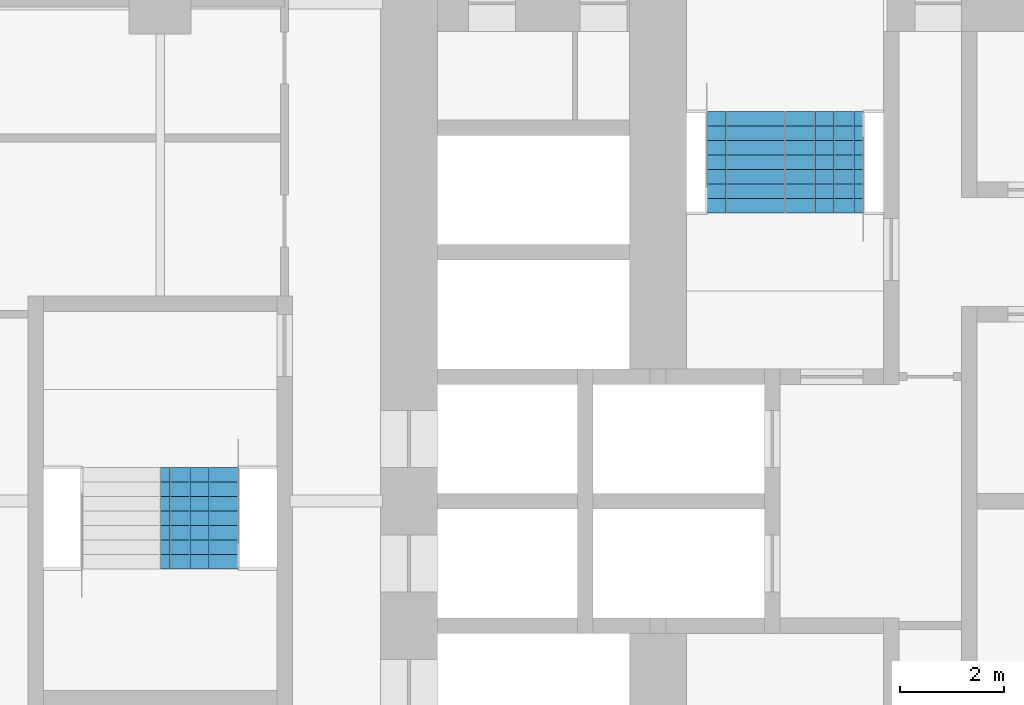
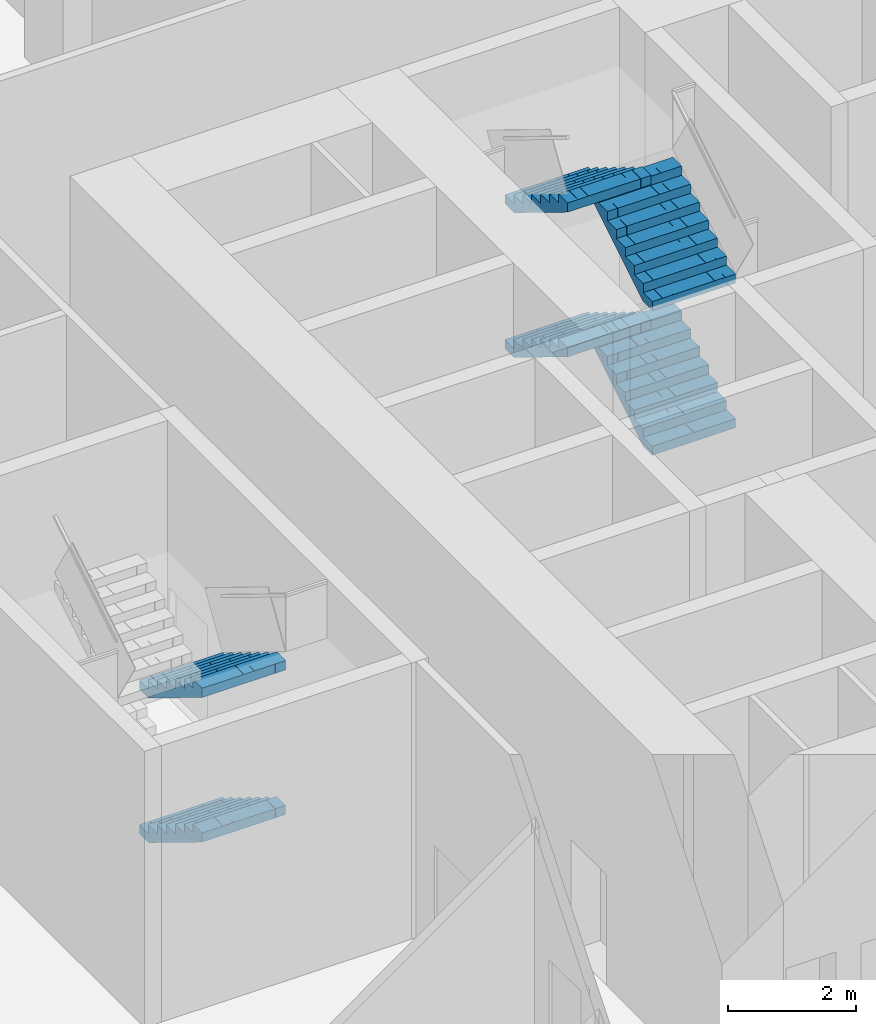
# One storey, part 24 of 29: 6 stair flights, 2 elements without a shape of their own.
"""IFC4 building model written with IfcOpenShell, lengths in metres."""

from ifc_helpers import new_model, si_unit, direction, frame, origin, place, context, subcontext, project, spatial, polyline, outline, extrude, material, type_object, element, aggregate, save


model = new_model("IFC4")

# Units and contexts
model_context = context("Model", 3, precision=1e-05, world=origin(), true_north=direction((0.0, 1.0)))
body_context = subcontext(model_context, "Body", "Model", "MODEL_VIEW")
ifc_project = project(units=[si_unit("LENGTHUNIT", "METRE"), si_unit("AREAUNIT", "SQUARE_METRE"), si_unit("VOLUMEUNIT", "CUBIC_METRE"), si_unit("PLANEANGLEUNIT", "RADIAN"), si_unit("MASSUNIT", "GRAM", prefix="KILO")], contexts=[model_context])

# Site, building, storey
site_placement = place(None, origin())
site = spatial("IfcSite", under=ifc_project, at=site_placement, CompositionType="ELEMENT")
building_placement = place(site_placement, origin())
building = spatial("IfcBuilding", under=site, at=building_placement, Name="Kolab Exchange Tower", CompositionType="ELEMENT")
storey_placement = place(building_placement, frame((0.0, 0.0, 33.39990234375)))
storey = spatial("IfcBuildingStorey", under=building, at=storey_placement, Name="L06", CompositionType="ELEMENT", Elevation=33.39990234375)

# Stair, stair flights
ifc_material = material(Name="Concrete C50/60", Category="concrete")
stair_type_1 = type_object("IfcStairType", Name="STAIR ST1 RISER 171.9", PredefinedType="DOUBLE_RETURN_STAIR", material=ifc_material)
stair_1_placement = place(storey_placement, origin())
stair_1 = element("IfcStair", 1, at=stair_1_placement, inside=storey, type_object=stair_type_1, Name="Stair 1", PredefinedType="DOUBLE_RETURN_STAIR")
stair_flight_type = type_object("IfcStairFlightType", Name="STAIR FLIGHT 1500 RISER 171.9", PredefinedType="STRAIGHT", material=ifc_material)
stair_flight_1_placement = place(storey_placement, frame((-6.389892578125, 5.550048828125, 0.0), z_axis=(0.0, 0.0, 1.0), x_axis=(0.0, 1.0, 0.0)))
stair_flight_1 = element("IfcStairFlight", 2, at=stair_flight_1_placement, type_object=stair_flight_type, Name="ST1 flight 1", NumberOfRisers=8, NumberOfTreads=7, PredefinedType="STRAIGHT", RiserHeight=0.171875, TreadLength=0.28, context=body_context, shape_type="SweptSolid", body=[
    extrude(outline(polyline([(0.0, 0.0), (0.0, 0.171875), (0.280029296875, 0.171875), (0.280029296875, 0.34375), (0.56005859375, 0.34375), (0.56005859375, 0.515625), (0.840087890625, 0.515625), (0.840087890625, 0.6875), (1.1201171875, 0.6875), (1.1201171875, 0.859375), (1.39990234375, 0.859375), (1.39990234375, 1.03125), (1.679931640625, 1.03125), (1.679931640625, 1.203125), (1.9599609375, 1.203125), (1.9599609375, 1.375), (1.9599609375, 1.02734375), (0.28662109375, 0.0), (0.0, 0.0)])), frame((0.0, 0.75, 0.0), z_axis=(0.0, -1.0, 0.0), x_axis=(1.0, 0.0, 0.0)), (0.0, 0.0, 1.0), 0.185791015625),
    extrude(outline(polyline([(0.0, 0.0), (0.0, 0.171875), (0.280029296875, 0.171875), (0.280029296875, 0.34375), (0.56005859375, 0.34375), (0.56005859375, 0.515625), (0.840087890625, 0.515625), (0.840087890625, 0.6875), (1.1201171875, 0.6875), (1.1201171875, 0.859375), (1.39990234375, 0.859375), (1.39990234375, 1.03125), (1.679931640625, 1.03125), (1.679931640625, 1.203125), (1.9599609375, 1.203125), (1.9599609375, 1.375), (1.9599609375, 1.02734375), (0.28662109375, 0.0), (0.0, 0.0)])), frame((0.0, 0.562255859375, 0.0), z_axis=(0.0, -1.0, 0.0), x_axis=(1.0, 0.0, 0.0)), (0.0, 0.0, 1.0), 0.185791015625),
    extrude(outline(polyline([(0.0, 0.0), (0.0, 0.171875), (0.280029296875, 0.171875), (0.280029296875, 0.34375), (0.56005859375, 0.34375), (0.56005859375, 0.515625), (0.840087890625, 0.515625), (0.840087890625, 0.6875), (1.1201171875, 0.6875), (1.1201171875, 0.859375), (1.39990234375, 0.859375), (1.39990234375, 1.03125), (1.679931640625, 1.03125), (1.679931640625, 1.203125), (1.9599609375, 1.203125), (1.9599609375, 1.375), (1.9599609375, 1.02734375), (0.28662109375, 0.0), (0.0, 0.0)])), frame((0.0, 0.37451171875, 0.0), z_axis=(0.0, -1.0, 0.0), x_axis=(1.0, 0.0, 0.0)), (0.0, 0.0, 1.0), 0.185791015625),
    extrude(outline(polyline([(0.0, 0.0), (0.0, 0.171875), (0.280029296875, 0.171875), (0.280029296875, 0.34375), (0.56005859375, 0.34375), (0.56005859375, 0.515625), (0.840087890625, 0.515625), (0.840087890625, 0.6875), (1.1201171875, 0.6875), (1.1201171875, 0.859375), (1.39990234375, 0.859375), (1.39990234375, 1.03125), (1.679931640625, 1.03125), (1.679931640625, 1.203125), (1.9599609375, 1.203125), (1.9599609375, 1.375), (1.9599609375, 1.02734375), (0.28662109375, 0.0), (0.0, 0.0)])), frame((0.0, 0.186767578125, 0.0), z_axis=(0.0, -1.0, 0.0), x_axis=(1.0, 0.0, 0.0)), (0.0, 0.0, 1.0), 0.185791015625),
    extrude(outline(polyline([(0.0, 0.0), (0.0, 0.171875), (0.280029296875, 0.171875), (0.280029296875, 0.34375), (0.56005859375, 0.34375), (0.56005859375, 0.515625), (0.840087890625, 0.515625), (0.840087890625, 0.6875), (1.1201171875, 0.6875), (1.1201171875, 0.859375), (1.39990234375, 0.859375), (1.39990234375, 1.03125), (1.679931640625, 1.03125), (1.679931640625, 1.203125), (1.9599609375, 1.203125), (1.9599609375, 1.375), (1.9599609375, 1.02734375), (0.28662109375, 0.0), (0.0, 0.0)])), frame((0.0, -0.0009765625, 0.0), z_axis=(0.0, -1.0, 0.0), x_axis=(1.0, 0.0, 0.0)), (0.0, 0.0, 1.0), 0.185791015625),
    extrude(outline(polyline([(0.0, 0.0), (0.0, 0.171875), (0.280029296875, 0.171875), (0.280029296875, 0.34375), (0.56005859375, 0.34375), (0.56005859375, 0.515625), (0.840087890625, 0.515625), (0.840087890625, 0.6875), (1.1201171875, 0.6875), (1.1201171875, 0.859375), (1.39990234375, 0.859375), (1.39990234375, 1.03125), (1.679931640625, 1.03125), (1.679931640625, 1.203125), (1.9599609375, 1.203125), (1.9599609375, 1.375), (1.9599609375, 1.02734375), (0.28662109375, 0.0), (0.0, 0.0)])), frame((0.0, -0.188720703125, 0.0), z_axis=(0.0, -1.0, 0.0), x_axis=(1.0, 0.0, 0.0)), (0.0, 0.0, 1.0), 0.185791015625),
    extrude(outline(polyline([(0.0, 0.0), (0.0, 0.171875), (0.280029296875, 0.171875), (0.280029296875, 0.34375), (0.56005859375, 0.34375), (0.56005859375, 0.515625), (0.840087890625, 0.515625), (0.840087890625, 0.6875), (1.1201171875, 0.6875), (1.1201171875, 0.859375), (1.39990234375, 0.859375), (1.39990234375, 1.03125), (1.679931640625, 1.03125), (1.679931640625, 1.203125), (1.9599609375, 1.203125), (1.9599609375, 1.375), (1.9599609375, 1.02734375), (0.28662109375, 0.0), (0.0, 0.0)])), frame((0.0, -0.37646484375, 0.0), z_axis=(0.0, -1.0, 0.0), x_axis=(1.0, 0.0, 0.0)), (0.0, 0.0, 1.0), 0.185791015625),
    extrude(outline(polyline([(0.0, 0.0), (0.0, 0.171875), (0.280029296875, 0.171875), (0.280029296875, 0.34375), (0.56005859375, 0.34375), (0.56005859375, 0.515625), (0.840087890625, 0.515625), (0.840087890625, 0.6875), (1.1201171875, 0.6875), (1.1201171875, 0.859375), (1.39990234375, 0.859375), (1.39990234375, 1.03125), (1.679931640625, 1.03125), (1.679931640625, 1.203125), (1.9599609375, 1.203125), (1.9599609375, 1.375), (1.9599609375, 1.02734375), (0.28662109375, 0.0), (0.0, 0.0)])), frame((0.0, -0.564208984375, 0.0), z_axis=(0.0, -1.0, 0.0), x_axis=(1.0, 0.0, 0.0)), (0.0, 0.0, 1.0), 0.185791015625),
])
stair_flight_2_placement = place(storey_placement, frame((-7.909912109375, 7.510009765625, 1.375), z_axis=(0.0, 0.0, 1.0), x_axis=(0.0, -1.0, 0.0)))
stair_flight_2 = element("IfcStairFlight", 3, at=stair_flight_2_placement, type_object=stair_flight_type, Name="ST1 flight 2", NumberOfRisers=8, NumberOfTreads=7, PredefinedType="STRAIGHT", RiserHeight=0.171875, TreadLength=0.28, context=body_context, shape_type="SweptSolid", body=[
    extrude(outline(polyline([(0.0, 0.0), (0.0, 0.171875), (0.280029296875, 0.171875), (0.280029296875, 0.34375), (0.56005859375, 0.34375), (0.56005859375, 0.515625), (0.840087890625, 0.515625), (0.840087890625, 0.6875), (1.1201171875, 0.6875), (1.1201171875, 0.859375), (1.39990234375, 0.859375), (1.39990234375, 1.03125), (1.679931640625, 1.03125), (1.679931640625, 1.203125), (1.9599609375, 1.203125), (1.9599609375, 1.375), (1.9599609375, 1.02734375), (0.28662109375, 0.0), (0.0, 0.0)])), frame((0.0, 0.75, 0.0), z_axis=(0.0, -1.0, 0.0), x_axis=(1.0, 0.0, 0.0)), (0.0, 0.0, 1.0), 0.185791015625),
    extrude(outline(polyline([(0.0, 0.0), (0.0, 0.171875), (0.280029296875, 0.171875), (0.280029296875, 0.34375), (0.56005859375, 0.34375), (0.56005859375, 0.515625), (0.840087890625, 0.515625), (0.840087890625, 0.6875), (1.1201171875, 0.6875), (1.1201171875, 0.859375), (1.39990234375, 0.859375), (1.39990234375, 1.03125), (1.679931640625, 1.03125), (1.679931640625, 1.203125), (1.9599609375, 1.203125), (1.9599609375, 1.375), (1.9599609375, 1.02734375), (0.28662109375, 0.0), (0.0, 0.0)])), frame((0.0, 0.562255859375, 0.0), z_axis=(0.0, -1.0, 0.0), x_axis=(1.0, 0.0, 0.0)), (0.0, 0.0, 1.0), 0.185791015625),
    extrude(outline(polyline([(0.0, 0.0), (0.0, 0.171875), (0.280029296875, 0.171875), (0.280029296875, 0.34375), (0.56005859375, 0.34375), (0.56005859375, 0.515625), (0.840087890625, 0.515625), (0.840087890625, 0.6875), (1.1201171875, 0.6875), (1.1201171875, 0.859375), (1.39990234375, 0.859375), (1.39990234375, 1.03125), (1.679931640625, 1.03125), (1.679931640625, 1.203125), (1.9599609375, 1.203125), (1.9599609375, 1.375), (1.9599609375, 1.02734375), (0.28662109375, 0.0), (0.0, 0.0)])), frame((0.0, 0.37451171875, 0.0), z_axis=(0.0, -1.0, 0.0), x_axis=(1.0, 0.0, 0.0)), (0.0, 0.0, 1.0), 0.185791015625),
    extrude(outline(polyline([(0.0, 0.0), (0.0, 0.171875), (0.280029296875, 0.171875), (0.280029296875, 0.34375), (0.56005859375, 0.34375), (0.56005859375, 0.515625), (0.840087890625, 0.515625), (0.840087890625, 0.6875), (1.1201171875, 0.6875), (1.1201171875, 0.859375), (1.39990234375, 0.859375), (1.39990234375, 1.03125), (1.679931640625, 1.03125), (1.679931640625, 1.203125), (1.9599609375, 1.203125), (1.9599609375, 1.375), (1.9599609375, 1.02734375), (0.28662109375, 0.0), (0.0, 0.0)])), frame((0.0, 0.186767578125, 0.0), z_axis=(0.0, -1.0, 0.0), x_axis=(1.0, 0.0, 0.0)), (0.0, 0.0, 1.0), 0.185791015625),
    extrude(outline(polyline([(0.0, 0.0), (0.0, 0.171875), (0.280029296875, 0.171875), (0.280029296875, 0.34375), (0.56005859375, 0.34375), (0.56005859375, 0.515625), (0.840087890625, 0.515625), (0.840087890625, 0.6875), (1.1201171875, 0.6875), (1.1201171875, 0.859375), (1.39990234375, 0.859375), (1.39990234375, 1.03125), (1.679931640625, 1.03125), (1.679931640625, 1.203125), (1.9599609375, 1.203125), (1.9599609375, 1.375), (1.9599609375, 1.02734375), (0.28662109375, 0.0), (0.0, 0.0)])), frame((0.0, -0.0009765625, 0.0), z_axis=(0.0, -1.0, 0.0), x_axis=(1.0, 0.0, 0.0)), (0.0, 0.0, 1.0), 0.185791015625),
    extrude(outline(polyline([(0.0, 0.0), (0.0, 0.171875), (0.280029296875, 0.171875), (0.280029296875, 0.34375), (0.56005859375, 0.34375), (0.56005859375, 0.515625), (0.840087890625, 0.515625), (0.840087890625, 0.6875), (1.1201171875, 0.6875), (1.1201171875, 0.859375), (1.39990234375, 0.859375), (1.39990234375, 1.03125), (1.679931640625, 1.03125), (1.679931640625, 1.203125), (1.9599609375, 1.203125), (1.9599609375, 1.375), (1.9599609375, 1.02734375), (0.28662109375, 0.0), (0.0, 0.0)])), frame((0.0, -0.188720703125, 0.0), z_axis=(0.0, -1.0, 0.0), x_axis=(1.0, 0.0, 0.0)), (0.0, 0.0, 1.0), 0.185791015625),
    extrude(outline(polyline([(0.0, 0.0), (0.0, 0.171875), (0.280029296875, 0.171875), (0.280029296875, 0.34375), (0.56005859375, 0.34375), (0.56005859375, 0.515625), (0.840087890625, 0.515625), (0.840087890625, 0.6875), (1.1201171875, 0.6875), (1.1201171875, 0.859375), (1.39990234375, 0.859375), (1.39990234375, 1.03125), (1.679931640625, 1.03125), (1.679931640625, 1.203125), (1.9599609375, 1.203125), (1.9599609375, 1.375), (1.9599609375, 1.02734375), (0.28662109375, 0.0), (0.0, 0.0)])), frame((0.0, -0.37646484375, 0.0), z_axis=(0.0, -1.0, 0.0), x_axis=(1.0, 0.0, 0.0)), (0.0, 0.0, 1.0), 0.185791015625),
    extrude(outline(polyline([(0.0, 0.0), (0.0, 0.171875), (0.280029296875, 0.171875), (0.280029296875, 0.34375), (0.56005859375, 0.34375), (0.56005859375, 0.515625), (0.840087890625, 0.515625), (0.840087890625, 0.6875), (1.1201171875, 0.6875), (1.1201171875, 0.859375), (1.39990234375, 0.859375), (1.39990234375, 1.03125), (1.679931640625, 1.03125), (1.679931640625, 1.203125), (1.9599609375, 1.203125), (1.9599609375, 1.375), (1.9599609375, 1.02734375), (0.28662109375, 0.0), (0.0, 0.0)])), frame((0.0, -0.564208984375, 0.0), z_axis=(0.0, -1.0, 0.0), x_axis=(1.0, 0.0, 0.0)), (0.0, 0.0, 1.0), 0.185791015625),
])
stair_flight_3_placement = place(storey_placement, frame((-6.389892578125, 5.550048828125, 2.75), z_axis=(0.0, 0.0, 1.0), x_axis=(0.0, 1.0, 0.0)))
stair_flight_3 = element("IfcStairFlight", 4, at=stair_flight_3_placement, type_object=stair_flight_type, Name="ST1 flight 3", NumberOfRisers=8, NumberOfTreads=7, PredefinedType="STRAIGHT", RiserHeight=0.171875, TreadLength=0.28, context=body_context, shape_type="SweptSolid", body=[
    extrude(outline(polyline([(0.0, 0.0), (0.0, 0.171875), (0.280029296875, 0.171875), (0.280029296875, 0.34375), (0.56005859375, 0.34375), (0.56005859375, 0.515625), (0.840087890625, 0.515625), (0.840087890625, 0.6875), (1.1201171875, 0.6875), (1.1201171875, 0.859375), (1.39990234375, 0.859375), (1.39990234375, 1.03125), (1.679931640625, 1.03125), (1.679931640625, 1.203125), (1.9599609375, 1.203125), (1.9599609375, 1.375), (1.9599609375, 1.02734375), (0.28662109375, 0.0), (0.0, 0.0)])), frame((0.0, 0.75, 0.0), z_axis=(0.0, -1.0, 0.0), x_axis=(1.0, 0.0, 0.0)), (0.0, 0.0, 1.0), 0.185791015625),
    extrude(outline(polyline([(0.0, 0.0), (0.0, 0.171875), (0.280029296875, 0.171875), (0.280029296875, 0.34375), (0.56005859375, 0.34375), (0.56005859375, 0.515625), (0.840087890625, 0.515625), (0.840087890625, 0.6875), (1.1201171875, 0.6875), (1.1201171875, 0.859375), (1.39990234375, 0.859375), (1.39990234375, 1.03125), (1.679931640625, 1.03125), (1.679931640625, 1.203125), (1.9599609375, 1.203125), (1.9599609375, 1.375), (1.9599609375, 1.02734375), (0.28662109375, 0.0), (0.0, 0.0)])), frame((0.0, 0.562255859375, 0.0), z_axis=(0.0, -1.0, 0.0), x_axis=(1.0, 0.0, 0.0)), (0.0, 0.0, 1.0), 0.185791015625),
    extrude(outline(polyline([(0.0, 0.0), (0.0, 0.171875), (0.280029296875, 0.171875), (0.280029296875, 0.34375), (0.56005859375, 0.34375), (0.56005859375, 0.515625), (0.840087890625, 0.515625), (0.840087890625, 0.6875), (1.1201171875, 0.6875), (1.1201171875, 0.859375), (1.39990234375, 0.859375), (1.39990234375, 1.03125), (1.679931640625, 1.03125), (1.679931640625, 1.203125), (1.9599609375, 1.203125), (1.9599609375, 1.375), (1.9599609375, 1.02734375), (0.28662109375, 0.0), (0.0, 0.0)])), frame((0.0, 0.37451171875, 0.0), z_axis=(0.0, -1.0, 0.0), x_axis=(1.0, 0.0, 0.0)), (0.0, 0.0, 1.0), 0.185791015625),
    extrude(outline(polyline([(0.0, 0.0), (0.0, 0.171875), (0.280029296875, 0.171875), (0.280029296875, 0.34375), (0.56005859375, 0.34375), (0.56005859375, 0.515625), (0.840087890625, 0.515625), (0.840087890625, 0.6875), (1.1201171875, 0.6875), (1.1201171875, 0.859375), (1.39990234375, 0.859375), (1.39990234375, 1.03125), (1.679931640625, 1.03125), (1.679931640625, 1.203125), (1.9599609375, 1.203125), (1.9599609375, 1.375), (1.9599609375, 1.02734375), (0.28662109375, 0.0), (0.0, 0.0)])), frame((0.0, 0.186767578125, 0.0), z_axis=(0.0, -1.0, 0.0), x_axis=(1.0, 0.0, 0.0)), (0.0, 0.0, 1.0), 0.185791015625),
    extrude(outline(polyline([(0.0, 0.0), (0.0, 0.171875), (0.280029296875, 0.171875), (0.280029296875, 0.34375), (0.56005859375, 0.34375), (0.56005859375, 0.515625), (0.840087890625, 0.515625), (0.840087890625, 0.6875), (1.1201171875, 0.6875), (1.1201171875, 0.859375), (1.39990234375, 0.859375), (1.39990234375, 1.03125), (1.679931640625, 1.03125), (1.679931640625, 1.203125), (1.9599609375, 1.203125), (1.9599609375, 1.375), (1.9599609375, 1.02734375), (0.28662109375, 0.0), (0.0, 0.0)])), frame((0.0, -0.0009765625, 0.0), z_axis=(0.0, -1.0, 0.0), x_axis=(1.0, 0.0, 0.0)), (0.0, 0.0, 1.0), 0.185791015625),
    extrude(outline(polyline([(0.0, 0.0), (0.0, 0.171875), (0.280029296875, 0.171875), (0.280029296875, 0.34375), (0.56005859375, 0.34375), (0.56005859375, 0.515625), (0.840087890625, 0.515625), (0.840087890625, 0.6875), (1.1201171875, 0.6875), (1.1201171875, 0.859375), (1.39990234375, 0.859375), (1.39990234375, 1.03125), (1.679931640625, 1.03125), (1.679931640625, 1.203125), (1.9599609375, 1.203125), (1.9599609375, 1.375), (1.9599609375, 1.02734375), (0.28662109375, 0.0), (0.0, 0.0)])), frame((0.0, -0.188720703125, 0.0), z_axis=(0.0, -1.0, 0.0), x_axis=(1.0, 0.0, 0.0)), (0.0, 0.0, 1.0), 0.185791015625),
    extrude(outline(polyline([(0.0, 0.0), (0.0, 0.171875), (0.280029296875, 0.171875), (0.280029296875, 0.34375), (0.56005859375, 0.34375), (0.56005859375, 0.515625), (0.840087890625, 0.515625), (0.840087890625, 0.6875), (1.1201171875, 0.6875), (1.1201171875, 0.859375), (1.39990234375, 0.859375), (1.39990234375, 1.03125), (1.679931640625, 1.03125), (1.679931640625, 1.203125), (1.9599609375, 1.203125), (1.9599609375, 1.375), (1.9599609375, 1.02734375), (0.28662109375, 0.0), (0.0, 0.0)])), frame((0.0, -0.37646484375, 0.0), z_axis=(0.0, -1.0, 0.0), x_axis=(1.0, 0.0, 0.0)), (0.0, 0.0, 1.0), 0.185791015625),
    extrude(outline(polyline([(0.0, 0.0), (0.0, 0.171875), (0.280029296875, 0.171875), (0.280029296875, 0.34375), (0.56005859375, 0.34375), (0.56005859375, 0.515625), (0.840087890625, 0.515625), (0.840087890625, 0.6875), (1.1201171875, 0.6875), (1.1201171875, 0.859375), (1.39990234375, 0.859375), (1.39990234375, 1.03125), (1.679931640625, 1.03125), (1.679931640625, 1.203125), (1.9599609375, 1.203125), (1.9599609375, 1.375), (1.9599609375, 1.02734375), (0.28662109375, 0.0), (0.0, 0.0)])), frame((0.0, -0.564208984375, 0.0), z_axis=(0.0, -1.0, 0.0), x_axis=(1.0, 0.0, 0.0)), (0.0, 0.0, 1.0), 0.185791015625),
])
stair_flight_4_placement = place(storey_placement, frame((-7.909912109375, 7.510009765625, 4.125), z_axis=(0.0, 0.0, 1.0), x_axis=(0.0, -1.0, 0.0)))
stair_flight_4 = element("IfcStairFlight", 5, at=stair_flight_4_placement, type_object=stair_flight_type, Name="ST1 flight 4", NumberOfRisers=8, NumberOfTreads=7, PredefinedType="STRAIGHT", RiserHeight=0.171875, TreadLength=0.28, context=body_context, shape_type="SweptSolid", body=[
    extrude(outline(polyline([(0.0, 0.0), (0.0, 0.171875), (0.280029296875, 0.171875), (0.280029296875, 0.34375), (0.56005859375, 0.34375), (0.56005859375, 0.515625), (0.840087890625, 0.515625), (0.840087890625, 0.6875), (1.1201171875, 0.6875), (1.1201171875, 0.859375), (1.39990234375, 0.859375), (1.39990234375, 1.03125), (1.679931640625, 1.03125), (1.679931640625, 1.203125), (1.9599609375, 1.203125), (1.9599609375, 1.375), (1.9599609375, 1.02734375), (0.28662109375, 0.0), (0.0, 0.0)])), frame((0.0, 0.75, 0.0), z_axis=(0.0, -1.0, 0.0), x_axis=(1.0, 0.0, 0.0)), (0.0, 0.0, 1.0), 0.185791015625),
    extrude(outline(polyline([(0.0, 0.0), (0.0, 0.171875), (0.280029296875, 0.171875), (0.280029296875, 0.34375), (0.56005859375, 0.34375), (0.56005859375, 0.515625), (0.840087890625, 0.515625), (0.840087890625, 0.6875), (1.1201171875, 0.6875), (1.1201171875, 0.859375), (1.39990234375, 0.859375), (1.39990234375, 1.03125), (1.679931640625, 1.03125), (1.679931640625, 1.203125), (1.9599609375, 1.203125), (1.9599609375, 1.375), (1.9599609375, 1.02734375), (0.28662109375, 0.0), (0.0, 0.0)])), frame((0.0, 0.562255859375, 0.0), z_axis=(0.0, -1.0, 0.0), x_axis=(1.0, 0.0, 0.0)), (0.0, 0.0, 1.0), 0.185791015625),
    extrude(outline(polyline([(0.0, 0.0), (0.0, 0.171875), (0.280029296875, 0.171875), (0.280029296875, 0.34375), (0.56005859375, 0.34375), (0.56005859375, 0.515625), (0.840087890625, 0.515625), (0.840087890625, 0.6875), (1.1201171875, 0.6875), (1.1201171875, 0.859375), (1.39990234375, 0.859375), (1.39990234375, 1.03125), (1.679931640625, 1.03125), (1.679931640625, 1.203125), (1.9599609375, 1.203125), (1.9599609375, 1.375), (1.9599609375, 1.02734375), (0.28662109375, 0.0), (0.0, 0.0)])), frame((0.0, 0.37451171875, 0.0), z_axis=(0.0, -1.0, 0.0), x_axis=(1.0, 0.0, 0.0)), (0.0, 0.0, 1.0), 0.185791015625),
    extrude(outline(polyline([(0.0, 0.0), (0.0, 0.171875), (0.280029296875, 0.171875), (0.280029296875, 0.34375), (0.56005859375, 0.34375), (0.56005859375, 0.515625), (0.840087890625, 0.515625), (0.840087890625, 0.6875), (1.1201171875, 0.6875), (1.1201171875, 0.859375), (1.39990234375, 0.859375), (1.39990234375, 1.03125), (1.679931640625, 1.03125), (1.679931640625, 1.203125), (1.9599609375, 1.203125), (1.9599609375, 1.375), (1.9599609375, 1.02734375), (0.28662109375, 0.0), (0.0, 0.0)])), frame((0.0, 0.186767578125, 0.0), z_axis=(0.0, -1.0, 0.0), x_axis=(1.0, 0.0, 0.0)), (0.0, 0.0, 1.0), 0.185791015625),
    extrude(outline(polyline([(0.0, 0.0), (0.0, 0.171875), (0.280029296875, 0.171875), (0.280029296875, 0.34375), (0.56005859375, 0.34375), (0.56005859375, 0.515625), (0.840087890625, 0.515625), (0.840087890625, 0.6875), (1.1201171875, 0.6875), (1.1201171875, 0.859375), (1.39990234375, 0.859375), (1.39990234375, 1.03125), (1.679931640625, 1.03125), (1.679931640625, 1.203125), (1.9599609375, 1.203125), (1.9599609375, 1.375), (1.9599609375, 1.02734375), (0.28662109375, 0.0), (0.0, 0.0)])), frame((0.0, -0.0009765625, 0.0), z_axis=(0.0, -1.0, 0.0), x_axis=(1.0, 0.0, 0.0)), (0.0, 0.0, 1.0), 0.185791015625),
    extrude(outline(polyline([(0.0, 0.0), (0.0, 0.171875), (0.280029296875, 0.171875), (0.280029296875, 0.34375), (0.56005859375, 0.34375), (0.56005859375, 0.515625), (0.840087890625, 0.515625), (0.840087890625, 0.6875), (1.1201171875, 0.6875), (1.1201171875, 0.859375), (1.39990234375, 0.859375), (1.39990234375, 1.03125), (1.679931640625, 1.03125), (1.679931640625, 1.203125), (1.9599609375, 1.203125), (1.9599609375, 1.375), (1.9599609375, 1.02734375), (0.28662109375, 0.0), (0.0, 0.0)])), frame((0.0, -0.188720703125, 0.0), z_axis=(0.0, -1.0, 0.0), x_axis=(1.0, 0.0, 0.0)), (0.0, 0.0, 1.0), 0.185791015625),
    extrude(outline(polyline([(0.0, 0.0), (0.0, 0.171875), (0.280029296875, 0.171875), (0.280029296875, 0.34375), (0.56005859375, 0.34375), (0.56005859375, 0.515625), (0.840087890625, 0.515625), (0.840087890625, 0.6875), (1.1201171875, 0.6875), (1.1201171875, 0.859375), (1.39990234375, 0.859375), (1.39990234375, 1.03125), (1.679931640625, 1.03125), (1.679931640625, 1.203125), (1.9599609375, 1.203125), (1.9599609375, 1.375), (1.9599609375, 1.02734375), (0.28662109375, 0.0), (0.0, 0.0)])), frame((0.0, -0.37646484375, 0.0), z_axis=(0.0, -1.0, 0.0), x_axis=(1.0, 0.0, 0.0)), (0.0, 0.0, 1.0), 0.185791015625),
    extrude(outline(polyline([(0.0, 0.0), (0.0, 0.171875), (0.280029296875, 0.171875), (0.280029296875, 0.34375), (0.56005859375, 0.34375), (0.56005859375, 0.515625), (0.840087890625, 0.515625), (0.840087890625, 0.6875), (1.1201171875, 0.6875), (1.1201171875, 0.859375), (1.39990234375, 0.859375), (1.39990234375, 1.03125), (1.679931640625, 1.03125), (1.679931640625, 1.203125), (1.9599609375, 1.203125), (1.9599609375, 1.375), (1.9599609375, 1.02734375), (0.28662109375, 0.0), (0.0, 0.0)])), frame((0.0, -0.564208984375, 0.0), z_axis=(0.0, -1.0, 0.0), x_axis=(1.0, 0.0, 0.0)), (0.0, 0.0, 1.0), 0.185791015625),
])
aggregate(stair_1, [stair_flight_1, stair_flight_2, stair_flight_3, stair_flight_4])

stair_type_2 = type_object("IfcStairType", Name="STAIR ST5 RISER 171.9", PredefinedType="DOUBLE_RETURN_STAIR", material=ifc_material)
stair_2_placement = place(storey_placement, origin())
stair_2 = element("IfcStair", 6, at=stair_2_placement, inside=storey, type_object=stair_type_2, Name="Stair 5", PredefinedType="DOUBLE_RETURN_STAIR")
stair_flight_5_placement = place(storey_placement, frame((-18.43994140625, 0.64990234375, 0.0), z_axis=(0.0, 0.0, 1.0), x_axis=(0.0, -1.0, 0.0)))
stair_flight_5 = element("IfcStairFlight", 7, at=stair_flight_5_placement, type_object=stair_flight_type, Name="ST5 flight 1", NumberOfRisers=8, NumberOfTreads=7, PredefinedType="STRAIGHT", RiserHeight=0.171875, TreadLength=0.28, context=body_context, shape_type="SweptSolid", body=[
    extrude(outline(polyline([(0.0, 0.0), (0.0, 0.171875), (0.280029296875, 0.171875), (0.280029296875, 0.34375), (0.56005859375, 0.34375), (0.56005859375, 0.515625), (0.840087890625, 0.515625), (0.840087890625, 0.6875), (1.1201171875, 0.6875), (1.1201171875, 0.859375), (1.39990234375, 0.859375), (1.39990234375, 1.03125), (1.679931640625, 1.03125), (1.679931640625, 1.203125), (1.9599609375, 1.203125), (1.9599609375, 1.375), (1.9599609375, 1.02734375), (0.28662109375, 0.0), (0.0, 0.0)])), frame((0.0, 0.75, 0.0), z_axis=(0.0, -1.0, 0.0), x_axis=(1.0, 0.0, 0.0)), (0.0, 0.0, 1.0), 0.185791015625),
    extrude(outline(polyline([(0.0, 0.0), (0.0, 0.171875), (0.280029296875, 0.171875), (0.280029296875, 0.34375), (0.56005859375, 0.34375), (0.56005859375, 0.515625), (0.840087890625, 0.515625), (0.840087890625, 0.6875), (1.1201171875, 0.6875), (1.1201171875, 0.859375), (1.39990234375, 0.859375), (1.39990234375, 1.03125), (1.679931640625, 1.03125), (1.679931640625, 1.203125), (1.9599609375, 1.203125), (1.9599609375, 1.375), (1.9599609375, 1.02734375), (0.28662109375, 0.0), (0.0, 0.0)])), frame((0.0, 0.562255859375, 0.0), z_axis=(0.0, -1.0, 0.0), x_axis=(1.0, 0.0, 0.0)), (0.0, 0.0, 1.0), 0.185791015625),
    extrude(outline(polyline([(0.0, 0.0), (0.0, 0.171875), (0.280029296875, 0.171875), (0.280029296875, 0.34375), (0.56005859375, 0.34375), (0.56005859375, 0.515625), (0.840087890625, 0.515625), (0.840087890625, 0.6875), (1.1201171875, 0.6875), (1.1201171875, 0.859375), (1.39990234375, 0.859375), (1.39990234375, 1.03125), (1.679931640625, 1.03125), (1.679931640625, 1.203125), (1.9599609375, 1.203125), (1.9599609375, 1.375), (1.9599609375, 1.02734375), (0.28662109375, 0.0), (0.0, 0.0)])), frame((0.0, 0.37451171875, 0.0), z_axis=(0.0, -1.0, 0.0), x_axis=(1.0, 0.0, 0.0)), (0.0, 0.0, 1.0), 0.185791015625),
    extrude(outline(polyline([(0.0, 0.0), (0.0, 0.171875), (0.280029296875, 0.171875), (0.280029296875, 0.34375), (0.56005859375, 0.34375), (0.56005859375, 0.515625), (0.840087890625, 0.515625), (0.840087890625, 0.6875), (1.1201171875, 0.6875), (1.1201171875, 0.859375), (1.39990234375, 0.859375), (1.39990234375, 1.03125), (1.679931640625, 1.03125), (1.679931640625, 1.203125), (1.9599609375, 1.203125), (1.9599609375, 1.375), (1.9599609375, 1.02734375), (0.28662109375, 0.0), (0.0, 0.0)])), frame((0.0, 0.186767578125, 0.0), z_axis=(0.0, -1.0, 0.0), x_axis=(1.0, 0.0, 0.0)), (0.0, 0.0, 1.0), 0.185791015625),
    extrude(outline(polyline([(0.0, 0.0), (0.0, 0.171875), (0.280029296875, 0.171875), (0.280029296875, 0.34375), (0.56005859375, 0.34375), (0.56005859375, 0.515625), (0.840087890625, 0.515625), (0.840087890625, 0.6875), (1.1201171875, 0.6875), (1.1201171875, 0.859375), (1.39990234375, 0.859375), (1.39990234375, 1.03125), (1.679931640625, 1.03125), (1.679931640625, 1.203125), (1.9599609375, 1.203125), (1.9599609375, 1.375), (1.9599609375, 1.02734375), (0.28662109375, 0.0), (0.0, 0.0)])), frame((0.0, -0.0009765625, 0.0), z_axis=(0.0, -1.0, 0.0), x_axis=(1.0, 0.0, 0.0)), (0.0, 0.0, 1.0), 0.185791015625),
    extrude(outline(polyline([(0.0, 0.0), (0.0, 0.171875), (0.280029296875, 0.171875), (0.280029296875, 0.34375), (0.56005859375, 0.34375), (0.56005859375, 0.515625), (0.840087890625, 0.515625), (0.840087890625, 0.6875), (1.1201171875, 0.6875), (1.1201171875, 0.859375), (1.39990234375, 0.859375), (1.39990234375, 1.03125), (1.679931640625, 1.03125), (1.679931640625, 1.203125), (1.9599609375, 1.203125), (1.9599609375, 1.375), (1.9599609375, 1.02734375), (0.28662109375, 0.0), (0.0, 0.0)])), frame((0.0, -0.188720703125, 0.0), z_axis=(0.0, -1.0, 0.0), x_axis=(1.0, 0.0, 0.0)), (0.0, 0.0, 1.0), 0.185791015625),
    extrude(outline(polyline([(0.0, 0.0), (0.0, 0.171875), (0.280029296875, 0.171875), (0.280029296875, 0.34375), (0.56005859375, 0.34375), (0.56005859375, 0.515625), (0.840087890625, 0.515625), (0.840087890625, 0.6875), (1.1201171875, 0.6875), (1.1201171875, 0.859375), (1.39990234375, 0.859375), (1.39990234375, 1.03125), (1.679931640625, 1.03125), (1.679931640625, 1.203125), (1.9599609375, 1.203125), (1.9599609375, 1.375), (1.9599609375, 1.02734375), (0.28662109375, 0.0), (0.0, 0.0)])), frame((0.0, -0.37646484375, 0.0), z_axis=(0.0, -1.0, 0.0), x_axis=(1.0, 0.0, 0.0)), (0.0, 0.0, 1.0), 0.185791015625),
    extrude(outline(polyline([(0.0, 0.0), (0.0, 0.171875), (0.280029296875, 0.171875), (0.280029296875, 0.34375), (0.56005859375, 0.34375), (0.56005859375, 0.515625), (0.840087890625, 0.515625), (0.840087890625, 0.6875), (1.1201171875, 0.6875), (1.1201171875, 0.859375), (1.39990234375, 0.859375), (1.39990234375, 1.03125), (1.679931640625, 1.03125), (1.679931640625, 1.203125), (1.9599609375, 1.203125), (1.9599609375, 1.375), (1.9599609375, 1.02734375), (0.28662109375, 0.0), (0.0, 0.0)])), frame((0.0, -0.564208984375, 0.0), z_axis=(0.0, -1.0, 0.0), x_axis=(1.0, 0.0, 0.0)), (0.0, 0.0, 1.0), 0.185791015625),
])
stair_flight_6_placement = place(storey_placement, frame((-18.43994140625, 0.64990234375, 2.75), z_axis=(0.0, 0.0, 1.0), x_axis=(0.0, -1.0, 0.0)))
stair_flight_6 = element("IfcStairFlight", 8, at=stair_flight_6_placement, type_object=stair_flight_type, Name="ST5 flight 3", NumberOfRisers=8, NumberOfTreads=7, PredefinedType="STRAIGHT", RiserHeight=0.171875, TreadLength=0.28, context=body_context, shape_type="SweptSolid", body=[
    extrude(outline(polyline([(0.0, 0.0), (0.0, 0.171875), (0.280029296875, 0.171875), (0.280029296875, 0.34375), (0.56005859375, 0.34375), (0.56005859375, 0.515625), (0.840087890625, 0.515625), (0.840087890625, 0.6875), (1.1201171875, 0.6875), (1.1201171875, 0.859375), (1.39990234375, 0.859375), (1.39990234375, 1.03125), (1.679931640625, 1.03125), (1.679931640625, 1.203125), (1.9599609375, 1.203125), (1.9599609375, 1.375), (1.9599609375, 1.02734375), (0.28662109375, 0.0), (0.0, 0.0)])), frame((0.0, 0.75, 0.0), z_axis=(0.0, -1.0, 0.0), x_axis=(1.0, 0.0, 0.0)), (0.0, 0.0, 1.0), 0.185791015625),
    extrude(outline(polyline([(0.0, 0.0), (0.0, 0.171875), (0.280029296875, 0.171875), (0.280029296875, 0.34375), (0.56005859375, 0.34375), (0.56005859375, 0.515625), (0.840087890625, 0.515625), (0.840087890625, 0.6875), (1.1201171875, 0.6875), (1.1201171875, 0.859375), (1.39990234375, 0.859375), (1.39990234375, 1.03125), (1.679931640625, 1.03125), (1.679931640625, 1.203125), (1.9599609375, 1.203125), (1.9599609375, 1.375), (1.9599609375, 1.02734375), (0.28662109375, 0.0), (0.0, 0.0)])), frame((0.0, 0.562255859375, 0.0), z_axis=(0.0, -1.0, 0.0), x_axis=(1.0, 0.0, 0.0)), (0.0, 0.0, 1.0), 0.185791015625),
    extrude(outline(polyline([(0.0, 0.0), (0.0, 0.171875), (0.280029296875, 0.171875), (0.280029296875, 0.34375), (0.56005859375, 0.34375), (0.56005859375, 0.515625), (0.840087890625, 0.515625), (0.840087890625, 0.6875), (1.1201171875, 0.6875), (1.1201171875, 0.859375), (1.39990234375, 0.859375), (1.39990234375, 1.03125), (1.679931640625, 1.03125), (1.679931640625, 1.203125), (1.9599609375, 1.203125), (1.9599609375, 1.375), (1.9599609375, 1.02734375), (0.28662109375, 0.0), (0.0, 0.0)])), frame((0.0, 0.37451171875, 0.0), z_axis=(0.0, -1.0, 0.0), x_axis=(1.0, 0.0, 0.0)), (0.0, 0.0, 1.0), 0.185791015625),
    extrude(outline(polyline([(0.0, 0.0), (0.0, 0.171875), (0.280029296875, 0.171875), (0.280029296875, 0.34375), (0.56005859375, 0.34375), (0.56005859375, 0.515625), (0.840087890625, 0.515625), (0.840087890625, 0.6875), (1.1201171875, 0.6875), (1.1201171875, 0.859375), (1.39990234375, 0.859375), (1.39990234375, 1.03125), (1.679931640625, 1.03125), (1.679931640625, 1.203125), (1.9599609375, 1.203125), (1.9599609375, 1.375), (1.9599609375, 1.02734375), (0.28662109375, 0.0), (0.0, 0.0)])), frame((0.0, 0.186767578125, 0.0), z_axis=(0.0, -1.0, 0.0), x_axis=(1.0, 0.0, 0.0)), (0.0, 0.0, 1.0), 0.185791015625),
    extrude(outline(polyline([(0.0, 0.0), (0.0, 0.171875), (0.280029296875, 0.171875), (0.280029296875, 0.34375), (0.56005859375, 0.34375), (0.56005859375, 0.515625), (0.840087890625, 0.515625), (0.840087890625, 0.6875), (1.1201171875, 0.6875), (1.1201171875, 0.859375), (1.39990234375, 0.859375), (1.39990234375, 1.03125), (1.679931640625, 1.03125), (1.679931640625, 1.203125), (1.9599609375, 1.203125), (1.9599609375, 1.375), (1.9599609375, 1.02734375), (0.28662109375, 0.0), (0.0, 0.0)])), frame((0.0, -0.0009765625, 0.0), z_axis=(0.0, -1.0, 0.0), x_axis=(1.0, 0.0, 0.0)), (0.0, 0.0, 1.0), 0.185791015625),
    extrude(outline(polyline([(0.0, 0.0), (0.0, 0.171875), (0.280029296875, 0.171875), (0.280029296875, 0.34375), (0.56005859375, 0.34375), (0.56005859375, 0.515625), (0.840087890625, 0.515625), (0.840087890625, 0.6875), (1.1201171875, 0.6875), (1.1201171875, 0.859375), (1.39990234375, 0.859375), (1.39990234375, 1.03125), (1.679931640625, 1.03125), (1.679931640625, 1.203125), (1.9599609375, 1.203125), (1.9599609375, 1.375), (1.9599609375, 1.02734375), (0.28662109375, 0.0), (0.0, 0.0)])), frame((0.0, -0.188720703125, 0.0), z_axis=(0.0, -1.0, 0.0), x_axis=(1.0, 0.0, 0.0)), (0.0, 0.0, 1.0), 0.185791015625),
    extrude(outline(polyline([(0.0, 0.0), (0.0, 0.171875), (0.280029296875, 0.171875), (0.280029296875, 0.34375), (0.56005859375, 0.34375), (0.56005859375, 0.515625), (0.840087890625, 0.515625), (0.840087890625, 0.6875), (1.1201171875, 0.6875), (1.1201171875, 0.859375), (1.39990234375, 0.859375), (1.39990234375, 1.03125), (1.679931640625, 1.03125), (1.679931640625, 1.203125), (1.9599609375, 1.203125), (1.9599609375, 1.375), (1.9599609375, 1.02734375), (0.28662109375, 0.0), (0.0, 0.0)])), frame((0.0, -0.37646484375, 0.0), z_axis=(0.0, -1.0, 0.0), x_axis=(1.0, 0.0, 0.0)), (0.0, 0.0, 1.0), 0.185791015625),
    extrude(outline(polyline([(0.0, 0.0), (0.0, 0.171875), (0.280029296875, 0.171875), (0.280029296875, 0.34375), (0.56005859375, 0.34375), (0.56005859375, 0.515625), (0.840087890625, 0.515625), (0.840087890625, 0.6875), (1.1201171875, 0.6875), (1.1201171875, 0.859375), (1.39990234375, 0.859375), (1.39990234375, 1.03125), (1.679931640625, 1.03125), (1.679931640625, 1.203125), (1.9599609375, 1.203125), (1.9599609375, 1.375), (1.9599609375, 1.02734375), (0.28662109375, 0.0), (0.0, 0.0)])), frame((0.0, -0.564208984375, 0.0), z_axis=(0.0, -1.0, 0.0), x_axis=(1.0, 0.0, 0.0)), (0.0, 0.0, 1.0), 0.185791015625),
])
aggregate(stair_2, [stair_flight_5, stair_flight_6])

save(model, "model.ifc")
